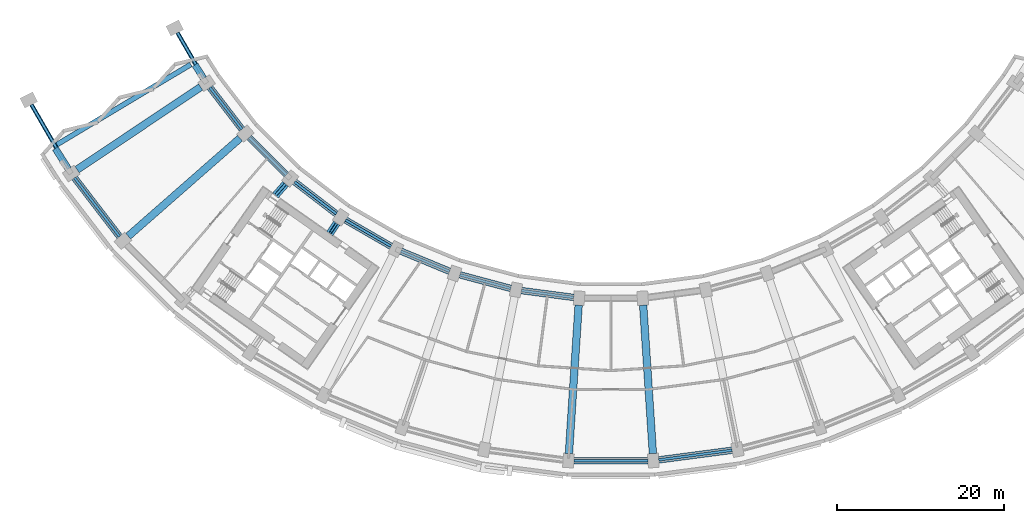
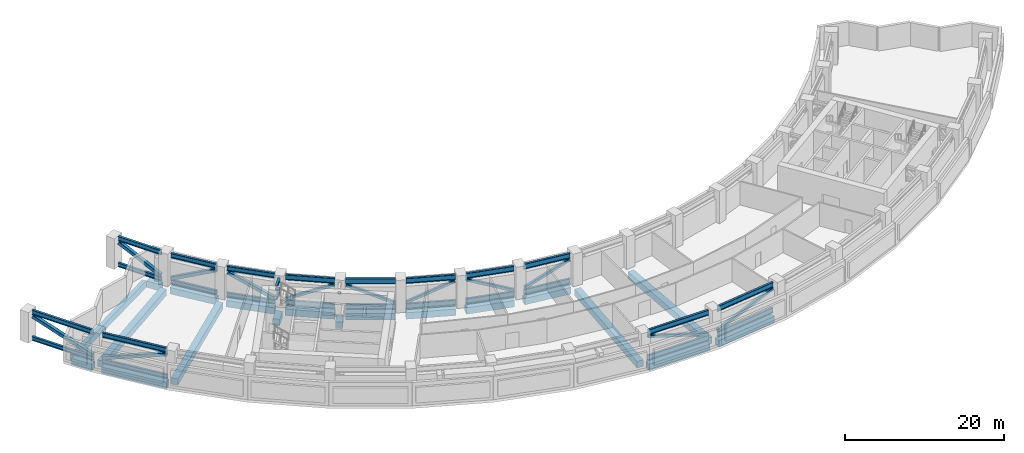
# One storey, part 2 of 25: 40 members, 19 beams.
"""IFC4 building model written with IfcOpenShell, lengths in metres."""

from ifc_helpers import new_model, si_unit, direction, frame, origin, origin_2d, place, context, subcontext, project, spatial, rectangle, hollow_rectangle, hollow_circle, i_section, extrude, material, material_profile, profile_set, type_object, element, save


model = new_model("IFC4")

# Units and contexts
model_context = context("Model", 3, precision=1e-05, world=origin(), true_north=direction((0.0, 1.0)))
body_context = subcontext(model_context, "Body", "Model", "MODEL_VIEW")
ifc_project = project(units=[si_unit("LENGTHUNIT", "METRE"), si_unit("AREAUNIT", "SQUARE_METRE"), si_unit("VOLUMEUNIT", "CUBIC_METRE"), si_unit("PLANEANGLEUNIT", "RADIAN"), si_unit("MASSUNIT", "GRAM", prefix="KILO")], contexts=[model_context])

# Site, building, storey
site_placement = place(None, origin())
site = spatial("IfcSite", under=ifc_project, at=site_placement, CompositionType="ELEMENT")
building_placement = place(site_placement, origin())
building = spatial("IfcBuilding", under=site, at=building_placement, Name="Qamariyya Broadcast Tower", CompositionType="ELEMENT")
storey_placement = place(building_placement, frame((0.0, 0.0, 89.89990234375)))
storey = spatial("IfcBuildingStorey", under=building, at=storey_placement, Name="L19", CompositionType="ELEMENT", Elevation=89.89990234375)

# Members
ifc_material_1 = material(Name="Steel S355", Category="steel")
ifc_material_profile_1 = material_profile(ifc_material_1, i_section(OverallWidth=0.300048828125, OverallDepth=0.800048828125, WebThickness=0.017578125, FlangeThickness=0.032958984375, FilletRadius=0.030029296875, at=origin_2d()))
ifc_profile_set_1 = profile_set([ifc_material_profile_1], Name="Steel S355")
member_type_1 = type_object("IfcMemberType", Name="Belt truss bottom chord HEB 800", PredefinedType="CHORD", material=ifc_profile_set_1)
for number, where, z_axis, x_axis, name in (
    (1, (-37.89013671875, -44.191162109375, 0.400146484375), (0.7933518672, -0.608763348773, 0.0), (0.608763348773, 0.7933518672, 0.0), "Belt truss bottom chord T6 L19 B-R05"),
    (2, (-31.7978515625, -48.7587890625, 0.400146484375), (0.866020173512, -0.500009058987, 0.0), (0.500009058987, 0.866020173512, 0.0), "Belt truss bottom chord T6 L19 B-R06"),
):
    element("IfcMember", number, at=place(storey_placement, frame(where, z_axis=z_axis, x_axis=x_axis)), inside=storey, type_object=member_type_1, Name=name, PredefinedType="CHORD", context=body_context, shape_type="SweptSolid", body=[
        extrude(i_section(OverallWidth=0.300048828125, OverallDepth=0.800048828125, WebThickness=0.017578125, FlangeThickness=0.032958984375, FilletRadius=0.030029296875, at=origin_2d()), origin(), (0.0, 0.0, 1.0), 6.31689453125),
    ])
for number, where, z_axis, x_axis, name in (
    (3, (-25.16162109375, -52.4921875, 0.400146484375), (0.923884465345, -0.382671523234, 0.0), (0.382671523234, 0.923884465345, 0.0), "Belt truss bottom chord T6 L19 B-R07"),
    (4, (-18.0947265625, -55.327392578125, 0.400146484375), (0.965931490327, -0.258797905699, 0.0), (0.258797905699, 0.965931490327, 0.0), "Belt truss bottom chord T6 L19 B-R08"),
    (5, (-10.71826171875, -57.2158203125, 0.400146484375), (0.991445610946, -0.130520498525, 0.0), (0.130520498525, 0.991445610946, 0.0), "Belt truss bottom chord T6 L19 B-R09"),
):
    element("IfcMember", number, at=place(storey_placement, frame(where, z_axis=z_axis, x_axis=x_axis)), inside=storey, type_object=member_type_1, Name=name, PredefinedType="CHORD", context=body_context, shape_type="SweptSolid", body=[
        extrude(i_section(OverallWidth=0.300048828125, OverallDepth=0.800048828125, WebThickness=0.017578125, FlangeThickness=0.032958984375, FilletRadius=0.030029296875, at=origin_2d()), origin(), (0.0, 0.0, 1.0), 6.316650390625),
    ])
member_1_placement = place(storey_placement, frame((-4.43359375, -77.58349609375, 0.400146484375), z_axis=(1.0, 0.0, 0.0), x_axis=(0.0, 1.0, 0.0)))
element("IfcMember", 6, at=member_1_placement, inside=storey, type_object=member_type_1, Name="Belt truss bottom chord T6 L19 C-R10", PredefinedType="CHORD", context=body_context, shape_type="SweptSolid", body=[
    extrude(i_section(OverallWidth=0.300048828125, OverallDepth=0.800048828125, WebThickness=0.017578125, FlangeThickness=0.032958984375, FilletRadius=0.030029296875, at=origin_2d()), origin(), (0.0, 0.0, 1.0), 8.8671875),
])
member_2_placement = place(storey_placement, frame((5.73095703125, -77.49853515625, 0.400146484375), z_axis=(0.991444171706, 0.13053143066, 0.0), x_axis=(-0.13053143066, 0.991444171706, 0.0)))
element("IfcMember", 7, at=member_2_placement, inside=storey, type_object=member_type_1, Name="Belt truss bottom chord T6 L19 C-R11", PredefinedType="CHORD", context=body_context, shape_type="SweptSolid", body=[
    extrude(i_section(OverallWidth=0.300048828125, OverallDepth=0.800048828125, WebThickness=0.017578125, FlangeThickness=0.032958984375, FilletRadius=0.030029296875, at=origin_2d()), origin(), (0.0, 0.0, 1.0), 8.867431640625),
])
ifc_material_profile_2 = material_profile(ifc_material_1, hollow_rectangle(XDim=0.39990234375, YDim=0.39990234375, WallThickness=0.01611328125, InnerFilletRadius=0.01611328125, OuterFilletRadius=0.031982421875, at=origin_2d()))
ifc_profile_set_2 = profile_set([ifc_material_profile_2], Name="Steel S355")
member_type_2 = type_object("IfcMemberType", Name="Belt truss diagonal RHS 400x400x16", PredefinedType="BRACE", material=ifc_profile_set_2)
for number, where, z_axis, x_axis, name in (
    (8, (-37.823974609375, -44.241943359375, 0.98291015625), (0.724930974449, -0.556258018172, 0.406266045225), (0.608760683058, 0.793353912678, 0.0), "Belt truss diagonal T7 L19 B-R05"),
    (9, (-31.725830078125, -48.800537109375, 3.71728515625), (0.791343308151, -0.456865097459, -0.406263524537), (0.499985903289, 0.866033542371, 0.0), "Belt truss diagonal T7 L19 B-R06"),
    (10, (-25.08447265625, -52.52392578125, 0.98291015625), (0.844199256007, -0.349679062773, 0.406266131022), (0.382683695402, 0.923879423558, 0.0), "Belt truss diagonal T7 L19 B-R07"),
    (11, (-18.01416015625, -55.348876953125, 3.71728515625), (0.882616366223, -0.236505782828, -0.406267602404), (0.258828684328, 0.965923243415, 0.0), "Belt truss diagonal T7 L19 B-R08"),
):
    element("IfcMember", number, at=place(storey_placement, frame(where, z_axis=z_axis, x_axis=x_axis)), inside=storey, type_object=member_type_2, Name=name, PredefinedType="BRACE", context=body_context, shape_type="SweptSolid", body=[
        extrude(hollow_rectangle(XDim=0.39990234375, YDim=0.39990234375, WallThickness=0.01611328125, InnerFilletRadius=0.01611328125, OuterFilletRadius=0.031982421875, at=origin_2d()), origin(), (0.0, 0.0, 1.0), 6.73046875),
    ])
member_3_placement = place(storey_placement, frame((-10.6357421875, -57.2265625, 0.98291015625), z_axis=(0.905944034923, -0.119264253156, 0.406252930459), x_axis=(0.130520230809, 0.99144564619, 0.0)))
element("IfcMember", 12, at=member_3_placement, inside=storey, type_object=member_type_2, Name="Belt truss diagonal T7 L19 B-R09", PredefinedType="BRACE", context=body_context, shape_type="SweptSolid", body=[
    extrude(hollow_rectangle(XDim=0.39990234375, YDim=0.39990234375, WallThickness=0.01611328125, InnerFilletRadius=0.01611328125, OuterFilletRadius=0.031982421875, at=origin_2d()), origin(), (0.0, 0.0, 1.0), 6.730712890625),
])
for number, where, z_axis, x_axis, name in (
    (13, (-4.372314453125, -77.58349609375, 3.709228515625), (0.954927667871, 0.0, -0.296838591046), (0.0, 1.0, 0.0), "Belt truss diagonal T7 L19 C-R10"),
    (14, (5.791748046875, -77.490478515625, 0.990966796875), (0.946759900646, 0.124636813908, 0.29683556921), (-0.130519510012, 0.99144574108, 0.0), "Belt truss diagonal T7 L19 C-R11"),
):
    element("IfcMember", number, at=place(storey_placement, frame(where, z_axis=z_axis, x_axis=x_axis)), inside=storey, type_object=member_type_2, Name=name, PredefinedType="BRACE", context=body_context, shape_type="SweptSolid", body=[
        extrude(hollow_rectangle(XDim=0.39990234375, YDim=0.39990234375, WallThickness=0.01611328125, InnerFilletRadius=0.01611328125, OuterFilletRadius=0.031982421875, at=origin_2d()), origin(), (0.0, 0.0, 1.0), 9.157470703125),
    ])
ifc_material_profile_3 = material_profile(ifc_material_1, i_section(OverallWidth=0.300048828125, OverallDepth=0.800048828125, WebThickness=0.017578125, FlangeThickness=0.032958984375, FilletRadius=0.030029296875, at=origin_2d()))
ifc_profile_set_3 = profile_set([ifc_material_profile_3], Name="Steel S355")
member_type_3 = type_object("IfcMemberType", Name="Belt truss top chord HEB 800", PredefinedType="CHORD", material=ifc_profile_set_3)
for number, where, z_axis, x_axis, name in (
    (15, (-37.89013671875, -44.191162109375, 4.300048828125), (0.7933518672, -0.608763348773, 0.0), (0.608763348773, 0.7933518672, 0.0), "Belt truss top chord T5 L19 B-R05"),
    (16, (-31.7978515625, -48.7587890625, 4.300048828125), (0.866020173512, -0.500009058987, 0.0), (0.500009058987, 0.866020173512, 0.0), "Belt truss top chord T5 L19 B-R06"),
):
    element("IfcMember", number, at=place(storey_placement, frame(where, z_axis=z_axis, x_axis=x_axis)), inside=storey, type_object=member_type_3, Name=name, PredefinedType="CHORD", context=body_context, shape_type="SweptSolid", body=[
        extrude(i_section(OverallWidth=0.300048828125, OverallDepth=0.800048828125, WebThickness=0.017578125, FlangeThickness=0.032958984375, FilletRadius=0.030029296875, at=origin_2d()), origin(), (0.0, 0.0, 1.0), 6.31689453125),
    ])
for number, where, z_axis, x_axis, name in (
    (17, (-25.16162109375, -52.4921875, 4.300048828125), (0.923884465345, -0.382671523234, 0.0), (0.382671523234, 0.923884465345, 0.0), "Belt truss top chord T5 L19 B-R07"),
    (18, (-18.0947265625, -55.327392578125, 4.300048828125), (0.965931490327, -0.258797905699, 0.0), (0.258797905699, 0.965931490327, 0.0), "Belt truss top chord T5 L19 B-R08"),
    (19, (-10.71826171875, -57.2158203125, 4.300048828125), (0.991445610946, -0.130520498525, 0.0), (0.130520498525, 0.991445610946, 0.0), "Belt truss top chord T5 L19 B-R09"),
):
    element("IfcMember", number, at=place(storey_placement, frame(where, z_axis=z_axis, x_axis=x_axis)), inside=storey, type_object=member_type_3, Name=name, PredefinedType="CHORD", context=body_context, shape_type="SweptSolid", body=[
        extrude(i_section(OverallWidth=0.300048828125, OverallDepth=0.800048828125, WebThickness=0.017578125, FlangeThickness=0.032958984375, FilletRadius=0.030029296875, at=origin_2d()), origin(), (0.0, 0.0, 1.0), 6.316650390625),
    ])
member_4_placement = place(storey_placement, frame((-4.43359375, -77.58349609375, 4.300048828125), z_axis=(1.0, 0.0, 0.0), x_axis=(0.0, 1.0, 0.0)))
element("IfcMember", 20, at=member_4_placement, inside=storey, type_object=member_type_3, Name="Belt truss top chord T5 L19 C-R10", PredefinedType="CHORD", context=body_context, shape_type="SweptSolid", body=[
    extrude(i_section(OverallWidth=0.300048828125, OverallDepth=0.800048828125, WebThickness=0.017578125, FlangeThickness=0.032958984375, FilletRadius=0.030029296875, at=origin_2d()), origin(), (0.0, 0.0, 1.0), 8.8671875),
])
member_5_placement = place(storey_placement, frame((5.73095703125, -77.49853515625, 4.300048828125), z_axis=(0.991444171706, 0.13053143066, 0.0), x_axis=(-0.13053143066, 0.991444171706, 0.0)))
element("IfcMember", 21, at=member_5_placement, inside=storey, type_object=member_type_3, Name="Belt truss top chord T5 L19 C-R11", PredefinedType="CHORD", context=body_context, shape_type="SweptSolid", body=[
    extrude(i_section(OverallWidth=0.300048828125, OverallDepth=0.800048828125, WebThickness=0.017578125, FlangeThickness=0.032958984375, FilletRadius=0.030029296875, at=origin_2d()), origin(), (0.0, 0.0, 1.0), 8.867431640625),
])
ifc_material_profile_4 = material_profile(ifc_material_1, i_section(OverallWidth=0.300048828125, OverallDepth=0.489990234375, WebThickness=0.011962890625, FlangeThickness=0.02294921875, FilletRadius=0.027099609375, at=origin_2d()))
ifc_profile_set_4 = profile_set([ifc_material_profile_4], Name="Steel S355")
member_type_4 = type_object("IfcMemberType", Name="Outrigger truss bottom chord HEA 500", PredefinedType="CHORD", material=ifc_profile_set_4)
member_6_placement = place(storey_placement, frame((-38.98046875, -44.44873046875, 2.7451171875), z_axis=(-0.659340845534, -0.751844165643, 0.0), x_axis=(0.751844165643, -0.659340845534, 0.0)))
element("IfcMember", 22, at=member_6_placement, inside=storey, type_object=member_type_4, Name="Outrigger truss bottom chord T9 L19 R05", PredefinedType="CHORD", context=body_context, shape_type="SweptSolid", body=[
    extrude(i_section(OverallWidth=0.300048828125, OverallDepth=0.489990234375, WebThickness=0.011962890625, FlangeThickness=0.02294921875, FilletRadius=0.027099609375, at=origin_2d()), origin(), (0.0, 0.0, 1.0), 1.79736328125),
])
ifc_material_profile_5 = material_profile(ifc_material_1, hollow_circle(Radius=0.177734375, WallThickness=0.012451171875, at=origin_2d()))
ifc_profile_set_5 = profile_set([ifc_material_profile_5], Name="Steel S355")
member_type_5 = type_object("IfcMemberType", Name="Outrigger truss diagonal CHS 355.6x12.5", PredefinedType="BRACE", material=ifc_profile_set_5)
member_7_placement = place(storey_placement, frame((-39.039306640625, -44.515869140625, 3.14501953125), z_axis=(-0.574791457717, -0.655364785771, 0.490012017921), x_axis=(0.751810255032, -0.659379511684, 0.0)))
element("IfcMember", 23, at=member_7_placement, inside=storey, type_object=member_type_5, Name="Outrigger truss diagonal T10 L19 R05", PredefinedType="BRACE", context=body_context, shape_type="SweptSolid", body=[
    extrude(hollow_circle(Radius=0.177734375, WallThickness=0.012451171875, at=origin_2d()), origin(), (0.0, 0.0, 1.0), 1.857421875),
])
member_8_placement = place(storey_placement, frame((-32.90625, -49.247802734375, 3.131591796875), z_axis=(-0.441986609636, -0.66132187251, 0.606053807711), x_axis=(0.831408360739, -0.555661891525, 0.0)))
element("IfcMember", 24, at=member_8_placement, inside=storey, type_object=member_type_5, Name="Outrigger truss diagonal T10 L19 R06", PredefinedType="BRACE", context=body_context, shape_type="SweptSolid", body=[
    extrude(hollow_circle(Radius=0.177734375, WallThickness=0.012451171875, at=origin_2d()), origin(), (0.0, 0.0, 1.0), 1.546142578125),
])
ifc_material_profile_6 = material_profile(ifc_material_1, i_section(OverallWidth=0.300048828125, OverallDepth=0.489990234375, WebThickness=0.011962890625, FlangeThickness=0.02294921875, FilletRadius=0.027099609375, at=origin_2d()))
ifc_profile_set_6 = profile_set([ifc_material_profile_6], Name="Steel S355")
member_type_6 = type_object("IfcMemberType", Name="Outrigger truss top chord HEA 500", PredefinedType="CHORD", material=ifc_profile_set_6)
member_9_placement = place(storey_placement, frame((-38.98046875, -44.44873046875, 4.455078125), z_axis=(-0.659340845534, -0.751844165643, 0.0), x_axis=(0.751844165643, -0.659340845534, 0.0)))
element("IfcMember", 25, at=member_9_placement, inside=storey, type_object=member_type_6, Name="Outrigger truss top chord T8 L19 R05", PredefinedType="CHORD", context=body_context, shape_type="SweptSolid", body=[
    extrude(i_section(OverallWidth=0.300048828125, OverallDepth=0.489990234375, WebThickness=0.011962890625, FlangeThickness=0.02294921875, FilletRadius=0.027099609375, at=origin_2d()), origin(), (0.0, 0.0, 1.0), 1.79736328125),
])

# Beams
ifc_material_2 = material(Name="Concrete C50/60", Category="concrete")
ifc_material_profile_7 = material_profile(ifc_material_2, rectangle(XDim=0.800048828125, YDim=1.0, at=origin_2d()))
ifc_profile_set_7 = profile_set([ifc_material_profile_7], Name="Concrete C50/60")
beam_type_1 = type_object("IfcBeamType", Name="RC edge beam 800 x 1000 C50/60", PredefinedType="SPANDREL", material=ifc_profile_set_7)
beam_1_placement = place(storey_placement, frame((-48.03662109375, -32.878662109375, -0.89990234375), z_axis=(0.608763348773, -0.7933518672, 0.0), x_axis=(0.7933518672, 0.608763348773, 0.0)))
element("IfcBeam", 26, at=beam_1_placement, inside=storey, type_object=beam_type_1, Name="Edge beam B10 L19 B R03-R04", PredefinedType="SPANDREL", context=body_context, shape_type="SweptSolid", body=[
    extrude(rectangle(XDim=0.800048828125, YDim=1.0, at=origin_2d()), origin(), (0.0, 0.0, 1.0), 6.31689453125),
])
beam_2_placement = place(storey_placement, frame((-43.333984375, -38.867431640625, -0.89990234375), z_axis=(0.707106781187, -0.707106781187, 0.0), x_axis=(0.707106781187, 0.707106781187, 0.0)))
element("IfcBeam", 27, at=beam_2_placement, inside=storey, type_object=beam_type_1, Name="Edge beam B10 L19 B R04-R05", PredefinedType="SPANDREL", context=body_context, shape_type="SweptSolid", body=[
    extrude(rectangle(XDim=0.800048828125, YDim=1.0, at=origin_2d()), origin(), (0.0, 0.0, 1.0), 6.316650390625),
])
for number, where, z_axis, x_axis, name in (
    (28, (-37.89013671875, -44.191162109375, -0.89990234375), (0.7933518672, -0.608763348773, 0.0), (0.608763348773, 0.7933518672, 0.0), "Edge beam B10 L19 B R05-R06"),
    (29, (-31.7978515625, -48.7587890625, -0.89990234375), (0.866020173512, -0.500009058987, 0.0), (0.500009058987, 0.866020173512, 0.0), "Edge beam B10 L19 B R06-R07"),
):
    element("IfcBeam", number, at=place(storey_placement, frame(where, z_axis=z_axis, x_axis=x_axis)), inside=storey, type_object=beam_type_1, Name=name, PredefinedType="SPANDREL", context=body_context, shape_type="SweptSolid", body=[
        extrude(rectangle(XDim=0.800048828125, YDim=1.0, at=origin_2d()), origin(), (0.0, 0.0, 1.0), 6.31689453125),
    ])
for number, where, z_axis, x_axis, name in (
    (30, (-25.16162109375, -52.4921875, -0.89990234375), (0.923884465345, -0.382671523234, 0.0), (0.382671523234, 0.923884465345, 0.0), "Edge beam B10 L19 B R07-R08"),
    (31, (-18.0947265625, -55.327392578125, -0.89990234375), (0.965931490327, -0.258797905699, 0.0), (0.258797905699, 0.965931490327, 0.0), "Edge beam B10 L19 B R08-R09"),
    (32, (-10.71826171875, -57.2158203125, -0.89990234375), (0.991445610946, -0.130520498525, 0.0), (0.130520498525, 0.991445610946, 0.0), "Edge beam B10 L19 B R09-R10"),
):
    element("IfcBeam", number, at=place(storey_placement, frame(where, z_axis=z_axis, x_axis=x_axis)), inside=storey, type_object=beam_type_1, Name=name, PredefinedType="SPANDREL", context=body_context, shape_type="SweptSolid", body=[
        extrude(rectangle(XDim=0.800048828125, YDim=1.0, at=origin_2d()), origin(), (0.0, 0.0, 1.0), 6.316650390625),
    ])
beam_3_placement = place(storey_placement, frame((-64.250244140625, -43.71240234375, -0.89990234375), z_axis=(0.608769622928, -0.793347052809, 0.0), x_axis=(0.793347052809, 0.608769622928, 0.0)))
element("IfcBeam", 33, at=beam_3_placement, inside=storey, type_object=beam_type_1, Name="Edge beam B10 L19 C R03-R04", PredefinedType="SPANDREL", context=body_context, shape_type="SweptSolid", body=[
    extrude(rectangle(XDim=0.800048828125, YDim=1.0, at=origin_2d()), origin(), (0.0, 0.0, 1.0), 8.867431640625),
])
beam_4_placement = place(storey_placement, frame((-4.43359375, -77.58349609375, -0.89990234375), z_axis=(1.0, 0.0, 0.0), x_axis=(0.0, 1.0, 0.0)))
element("IfcBeam", 34, at=beam_4_placement, inside=storey, type_object=beam_type_1, Name="Edge beam B10 L19 C R10-R11", PredefinedType="SPANDREL", context=body_context, shape_type="SweptSolid", body=[
    extrude(rectangle(XDim=0.800048828125, YDim=1.0, at=origin_2d()), origin(), (0.0, 0.0, 1.0), 8.8671875),
])
beam_5_placement = place(storey_placement, frame((5.73095703125, -77.49853515625, -0.89990234375), z_axis=(0.991444171706, 0.13053143066, 0.0), x_axis=(-0.13053143066, 0.991444171706, 0.0)))
element("IfcBeam", 35, at=beam_5_placement, inside=storey, type_object=beam_type_1, Name="Edge beam B10 L19 C R11-R12", PredefinedType="SPANDREL", context=body_context, shape_type="SweptSolid", body=[
    extrude(rectangle(XDim=0.800048828125, YDim=1.0, at=origin_2d()), origin(), (0.0, 0.0, 1.0), 8.867431640625),
])
ifc_material_profile_8 = material_profile(ifc_material_2, rectangle(XDim=0.800048828125, YDim=1.0, at=origin_2d()))
ifc_profile_set_8 = profile_set([ifc_material_profile_8], Name="Concrete C50/60")
beam_type_2 = type_object("IfcBeamType", Name="RC horn beam 800 x 1000 C50/60", PredefinedType="BEAM", material=ifc_profile_set_8)
beam_6_placement = place(storey_placement, frame((-48.78076171875, -31.8125, -0.89990234375), z_axis=(-0.534764606163, 0.845001074553, 0.0), x_axis=(-0.845001074553, -0.534764606163, 0.0)))
element("IfcBeam", 36, at=beam_6_placement, inside=storey, type_object=beam_type_2, Name="Horn beam B11 L19 W B-R03", PredefinedType="BEAM", context=body_context, shape_type="SweptSolid", body=[
    extrude(rectangle(XDim=0.800048828125, YDim=1.0, at=origin_2d()), origin(), (0.0, 0.0, 1.0), 1.93994140625),
])
beam_7_placement = place(storey_placement, frame((-64.994384765625, -42.646240234375, -0.89990234375), z_axis=(-0.534798352248, 0.844979717172, 0.0), x_axis=(-0.844979717172, -0.534798352248, 0.0)))
element("IfcBeam", 37, at=beam_7_placement, inside=storey, type_object=beam_type_2, Name="Horn beam B11 L19 W C-R03", PredefinedType="BEAM", context=body_context, shape_type="SweptSolid", body=[
    extrude(rectangle(XDim=0.800048828125, YDim=1.0, at=origin_2d()), origin(), (0.0, 0.0, 1.0), 2.907470703125),
])
ifc_material_profile_9 = material_profile(ifc_material_2, rectangle(XDim=0.60009765625, YDim=1.0, at=origin_2d()))
ifc_profile_set_9 = profile_set([ifc_material_profile_9], Name="Concrete C50/60")
beam_type_3 = type_object("IfcBeamType", Name="RC horn cap beam 600 x 1000 C50/60", PredefinedType="BEAM", material=ifc_profile_set_9)
beam_8_placement = place(storey_placement, frame((-50.32177734375, -30.125244140625, -0.89990234375), z_axis=(-0.858001674613, -0.513646888788, 0.0), x_axis=(0.513646888788, -0.858001674613, 0.0)))
element("IfcBeam", 38, at=beam_8_placement, inside=storey, type_object=beam_type_3, Name="Horn cap beam B12 L19 W B-C", PredefinedType="BEAM", context=body_context, shape_type="SweptSolid", body=[
    extrude(rectangle(XDim=0.60009765625, YDim=1.0, at=origin_2d()), origin(), (0.0, 0.0, 1.0), 18.699951171875),
])
ifc_material_profile_10 = material_profile(ifc_material_2, rectangle(XDim=0.89990234375, YDim=1.0, at=origin_2d()))
ifc_profile_set_10 = profile_set([ifc_material_profile_10], Name="Concrete C50/60")
beam_type_4 = type_object("IfcBeamType", Name="RC radial beam 900 x 1000 C50/60", PredefinedType="BEAM", material=ifc_profile_set_10)
for number, where, z_axis, x_axis, name in (
    (39, (-49.139892578125, -32.834228515625, -0.89990234375), (-0.831467440413, -0.555573483469, 0.0), (0.555573483469, -0.831467440413, 0.0), "Radial beam B9 L19 R03 B-C"),
    (40, (-44.433837890625, -38.96728515625, -0.89990234375), (-0.751836168626, -0.659349964393, 0.0), (0.659349964393, -0.751836168626, 0.0), "Radial beam B9 L19 R04 B-C"),
):
    element("IfcBeam", number, at=place(storey_placement, frame(where, z_axis=z_axis, x_axis=x_axis)), inside=storey, type_object=beam_type_4, Name=name, PredefinedType="BEAM", context=body_context, shape_type="SweptSolid", body=[
        extrude(rectangle(XDim=0.89990234375, YDim=1.0, at=origin_2d()), origin(), (0.0, 0.0, 1.0), 17.7998046875),
    ])
beam_9_placement = place(storey_placement, frame((-38.96728515625, -44.433837890625, -0.89990234375), z_axis=(-0.659385827408, -0.751804715743, 0.0), x_axis=(0.751804715743, -0.659385827408, 0.0)))
element("IfcBeam", 41, at=beam_9_placement, inside=storey, type_object=beam_type_4, Name="Radial beam B9 L19 R05 B-C", PredefinedType="BEAM", context=body_context, shape_type="SweptSolid", body=[
    extrude(rectangle(XDim=0.89990234375, YDim=1.0, at=origin_2d()), origin(), (0.0, 0.0, 1.0), 1.8623046875),
])
beam_10_placement = place(storey_placement, frame((-32.834228515625, -49.139892578125, -0.89990234375), z_axis=(-0.555518362002, -0.831504269068, 0.0), x_axis=(0.831504269068, -0.555518362002, 0.0)))
element("IfcBeam", 42, at=beam_10_placement, inside=storey, type_object=beam_type_4, Name="Radial beam B9 L19 R06 B-C", PredefinedType="BEAM", context=body_context, shape_type="SweptSolid", body=[
    extrude(rectangle(XDim=0.89990234375, YDim=1.0, at=origin_2d()), origin(), (0.0, 0.0, 1.0), 1.514404296875),
])
for number, where, z_axis, x_axis, name in (
    (43, (-3.865234375, -58.973388671875, -0.89990234375), (-0.0654101824, -0.997858460924, 0.0), (0.997858460924, -0.0654101824, 0.0), "Radial beam B9 L19 R10 B-C"),
    (44, (3.865234375, -58.973388671875, -0.89990234375), (0.0654101824, -0.997858460924, 0.0), (0.997858460924, 0.0654101824, 0.0), "Radial beam B9 L19 R11 B-C"),
):
    element("IfcBeam", number, at=place(storey_placement, frame(where, z_axis=z_axis, x_axis=x_axis)), inside=storey, type_object=beam_type_4, Name=name, PredefinedType="BEAM", context=body_context, shape_type="SweptSolid", body=[
        extrude(rectangle(XDim=0.89990234375, YDim=1.0, at=origin_2d()), origin(), (0.0, 0.0, 1.0), 17.800048828125),
    ])

# Members
ifc_material_profile_11 = material_profile(ifc_material_1, i_section(OverallWidth=0.304931640625, OverallDepth=0.6201171875, WebThickness=0.02099609375, FlangeThickness=0.0400390625, FilletRadius=0.027099609375, at=origin_2d()))
ifc_profile_set_11 = profile_set([ifc_material_profile_11], Name="Steel S355")
member_type_7 = type_object("IfcMemberType", Name="Transfer truss bottom chord HEM 600", PredefinedType="CHORD", material=ifc_profile_set_11)
for number, where, z_axis, x_axis, name in (
    (45, (-51.917236328125, -26.327392578125, 0.31005859375), (0.500009058987, -0.866020173512, 0.0), (0.866020173512, 0.500009058987, 0.0), "Transfer truss bottom chord T3 L19 B-R02"),
    (46, (-48.03662109375, -32.878662109375, 0.31005859375), (0.608763348773, -0.7933518672, 0.0), (0.7933518672, 0.608763348773, 0.0), "Transfer truss bottom chord T3 L19 B-R03"),
):
    element("IfcMember", number, at=place(storey_placement, frame(where, z_axis=z_axis, x_axis=x_axis)), inside=storey, type_object=member_type_7, Name=name, PredefinedType="CHORD", context=body_context, shape_type="SweptSolid", body=[
        extrude(i_section(OverallWidth=0.304931640625, OverallDepth=0.6201171875, WebThickness=0.02099609375, FlangeThickness=0.0400390625, FilletRadius=0.027099609375, at=origin_2d()), origin(), (0.0, 0.0, 1.0), 6.31689453125),
    ])
member_10_placement = place(storey_placement, frame((-43.333984375, -38.867431640625, 0.31005859375), z_axis=(0.707106781187, -0.707106781187, 0.0), x_axis=(0.707106781187, 0.707106781187, 0.0)))
element("IfcMember", 47, at=member_10_placement, inside=storey, type_object=member_type_7, Name="Transfer truss bottom chord T3 L19 B-R04", PredefinedType="CHORD", context=body_context, shape_type="SweptSolid", body=[
    extrude(i_section(OverallWidth=0.304931640625, OverallDepth=0.6201171875, WebThickness=0.02099609375, FlangeThickness=0.0400390625, FilletRadius=0.027099609375, at=origin_2d()), origin(), (0.0, 0.0, 1.0), 6.316650390625),
])
member_11_placement = place(storey_placement, frame((-69.40625, -34.9521484375, 0.31005859375), z_axis=(0.500021158025, -0.866013187848, 0.0), x_axis=(0.866013187848, 0.500021158025, 0.0)))
element("IfcMember", 48, at=member_11_placement, inside=storey, type_object=member_type_7, Name="Transfer truss bottom chord T3 L19 C-R02", PredefinedType="CHORD", context=body_context, shape_type="SweptSolid", body=[
    extrude(i_section(OverallWidth=0.304931640625, OverallDepth=0.6201171875, WebThickness=0.02099609375, FlangeThickness=0.0400390625, FilletRadius=0.027099609375, at=origin_2d()), origin(), (0.0, 0.0, 1.0), 8.8671875),
])
member_12_placement = place(storey_placement, frame((-64.250244140625, -43.71240234375, 0.31005859375), z_axis=(0.608769622928, -0.793347052809, 0.0), x_axis=(0.793347052809, 0.608769622928, 0.0)))
element("IfcMember", 49, at=member_12_placement, inside=storey, type_object=member_type_7, Name="Transfer truss bottom chord T3 L19 C-R03", PredefinedType="CHORD", context=body_context, shape_type="SweptSolid", body=[
    extrude(i_section(OverallWidth=0.304931640625, OverallDepth=0.6201171875, WebThickness=0.02099609375, FlangeThickness=0.0400390625, FilletRadius=0.027099609375, at=origin_2d()), origin(), (0.0, 0.0, 1.0), 8.867431640625),
])
ifc_material_profile_12 = material_profile(ifc_material_1, hollow_rectangle(XDim=0.5, YDim=0.5, WallThickness=0.01611328125, InnerFilletRadius=0.01611328125, OuterFilletRadius=0.031982421875, at=origin_2d()))
ifc_profile_set_12 = profile_set([ifc_material_profile_12], Name="Steel S355")
member_type_8 = type_object("IfcMemberType", Name="Transfer truss diagonal RHS 500x500x16", PredefinedType="BRACE", material=ifc_profile_set_12)
member_13_placement = place(storey_placement, frame((-51.8623046875, -26.422607421875, 3.758544921875), z_axis=(0.451160599467, -0.781428801575, -0.431072083946), x_axis=(0.866024218203, 0.500002053482, 0.0)))
element("IfcMember", 50, at=member_13_placement, inside=storey, type_object=member_type_8, Name="Transfer truss diagonal T4 L19 B-R02", PredefinedType="BRACE", context=body_context, shape_type="SweptSolid", body=[
    extrude(hollow_rectangle(XDim=0.5, YDim=0.5, WallThickness=0.01611328125, InnerFilletRadius=0.01611328125, OuterFilletRadius=0.031982421875, at=origin_2d()), origin(), (0.0, 0.0, 1.0), 6.75732421875),
])
for number, where, z_axis, x_axis, name in (
    (51, (-47.9697265625, -32.9658203125, 0.845703125), (0.549294191154, -0.715856463154, 0.431074721743), (0.793354299745, 0.608760178622, 0.0), "Transfer truss diagonal T4 L19 B-R03"),
    (52, (-43.25634765625, -38.945068359375, 3.758544921875), (0.638033393299, -0.638033393299, -0.431076301912), (0.707106781187, 0.707106781187, 0.0), "Transfer truss diagonal T4 L19 B-R04"),
):
    element("IfcMember", number, at=place(storey_placement, frame(where, z_axis=z_axis, x_axis=x_axis)), inside=storey, type_object=member_type_8, Name=name, PredefinedType="BRACE", context=body_context, shape_type="SweptSolid", body=[
        extrude(hollow_rectangle(XDim=0.5, YDim=0.5, WallThickness=0.01611328125, InnerFilletRadius=0.01611328125, OuterFilletRadius=0.031982421875, at=origin_2d()), origin(), (0.0, 0.0, 1.0), 6.757080078125),
    ])
for number, where, z_axis, x_axis, name in (
    (53, (-69.36572265625, -35.02197265625, 3.746826171875), (0.474531727186, -0.821946760837, -0.314997082913), (0.866034280428, 0.499984624887, 0.0), "Transfer truss diagonal T4 L19 C-R02"),
    (54, (-64.201171875, -43.7763671875, 0.857421875), (0.577764543967, -0.752972946074, 0.31499186373), (0.793359405324, 0.608753524823, 0.0), "Transfer truss diagonal T4 L19 C-R03"),
):
    element("IfcMember", number, at=place(storey_placement, frame(where, z_axis=z_axis, x_axis=x_axis)), inside=storey, type_object=member_type_8, Name=name, PredefinedType="BRACE", context=body_context, shape_type="SweptSolid", body=[
        extrude(hollow_rectangle(XDim=0.5, YDim=0.5, WallThickness=0.01611328125, InnerFilletRadius=0.01611328125, OuterFilletRadius=0.031982421875, at=origin_2d()), origin(), (0.0, 0.0, 1.0), 9.1728515625),
    ])
ifc_material_profile_13 = material_profile(ifc_material_1, i_section(OverallWidth=0.303955078125, OverallDepth=0.716064453125, WebThickness=0.02099609375, FlangeThickness=0.0400390625, FilletRadius=0.027099609375, at=origin_2d()))
ifc_profile_set_13 = profile_set([ifc_material_profile_13], Name="Steel S355")
member_type_9 = type_object("IfcMemberType", Name="Transfer truss top chord HEM 700", PredefinedType="CHORD", material=ifc_profile_set_13)
for number, where, z_axis, x_axis, name in (
    (55, (-51.917236328125, -26.327392578125, 4.342041015625), (0.500009058987, -0.866020173512, 0.0), (0.866020173512, 0.500009058987, 0.0), "Transfer truss top chord T2 L19 B-R02"),
    (56, (-48.03662109375, -32.878662109375, 4.342041015625), (0.608763348773, -0.7933518672, 0.0), (0.7933518672, 0.608763348773, 0.0), "Transfer truss top chord T2 L19 B-R03"),
):
    element("IfcMember", number, at=place(storey_placement, frame(where, z_axis=z_axis, x_axis=x_axis)), inside=storey, type_object=member_type_9, Name=name, PredefinedType="CHORD", context=body_context, shape_type="SweptSolid", body=[
        extrude(i_section(OverallWidth=0.303955078125, OverallDepth=0.716064453125, WebThickness=0.02099609375, FlangeThickness=0.0400390625, FilletRadius=0.027099609375, at=origin_2d()), origin(), (0.0, 0.0, 1.0), 6.31689453125),
    ])
member_14_placement = place(storey_placement, frame((-43.333984375, -38.867431640625, 4.342041015625), z_axis=(0.707106781187, -0.707106781187, 0.0), x_axis=(0.707106781187, 0.707106781187, 0.0)))
element("IfcMember", 57, at=member_14_placement, inside=storey, type_object=member_type_9, Name="Transfer truss top chord T2 L19 B-R04", PredefinedType="CHORD", context=body_context, shape_type="SweptSolid", body=[
    extrude(i_section(OverallWidth=0.303955078125, OverallDepth=0.716064453125, WebThickness=0.02099609375, FlangeThickness=0.0400390625, FilletRadius=0.027099609375, at=origin_2d()), origin(), (0.0, 0.0, 1.0), 6.316650390625),
])
member_15_placement = place(storey_placement, frame((-69.40625, -34.9521484375, 4.342041015625), z_axis=(0.500021158025, -0.866013187848, 0.0), x_axis=(0.866013187848, 0.500021158025, 0.0)))
element("IfcMember", 58, at=member_15_placement, inside=storey, type_object=member_type_9, Name="Transfer truss top chord T2 L19 C-R02", PredefinedType="CHORD", context=body_context, shape_type="SweptSolid", body=[
    extrude(i_section(OverallWidth=0.303955078125, OverallDepth=0.716064453125, WebThickness=0.02099609375, FlangeThickness=0.0400390625, FilletRadius=0.027099609375, at=origin_2d()), origin(), (0.0, 0.0, 1.0), 8.8671875),
])
member_16_placement = place(storey_placement, frame((-64.250244140625, -43.71240234375, 4.342041015625), z_axis=(0.608769622928, -0.793347052809, 0.0), x_axis=(0.793347052809, 0.608769622928, 0.0)))
element("IfcMember", 59, at=member_16_placement, inside=storey, type_object=member_type_9, Name="Transfer truss top chord T2 L19 C-R03", PredefinedType="CHORD", context=body_context, shape_type="SweptSolid", body=[
    extrude(i_section(OverallWidth=0.303955078125, OverallDepth=0.716064453125, WebThickness=0.02099609375, FlangeThickness=0.0400390625, FilletRadius=0.027099609375, at=origin_2d()), origin(), (0.0, 0.0, 1.0), 8.867431640625),
])

save(model, "model.ifc")
